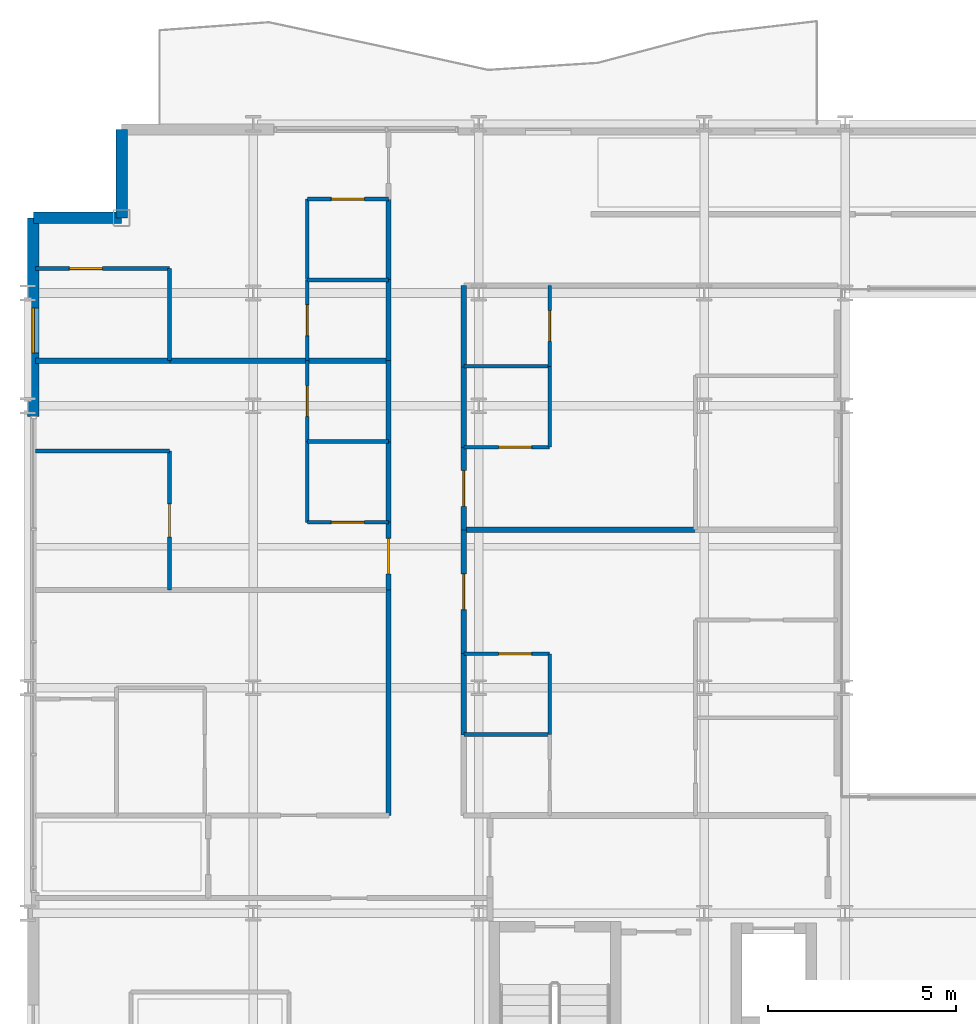
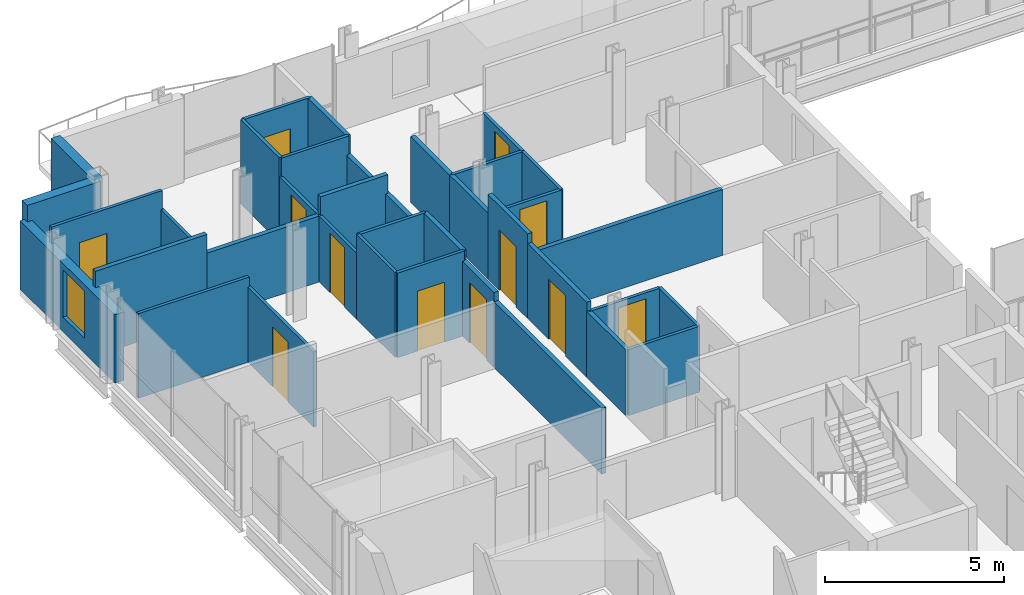
# One storey, part 33 of 41: 37 walls, 12 doors, 1 window, 13 openings.
"""IFC4 building model written with IfcOpenShell, lengths in metres."""

from ifc_helpers import new_model, si_unit, direction, frame, frame_2d, origin, place, context, subcontext, project, spatial, rectangle, extrude, material, layer, layer_set, type_object, element, fill, save


model = new_model("IFC4")

# Units and contexts
model_context = context("Model", 3, precision=1e-05, world=origin(), true_north=direction((0.0, 1.0)))
body_context = subcontext(model_context, "Body", "Model", "MODEL_VIEW")
ifc_project = project(units=[si_unit("LENGTHUNIT", "METRE"), si_unit("AREAUNIT", "SQUARE_METRE"), si_unit("VOLUMEUNIT", "CUBIC_METRE"), si_unit("PLANEANGLEUNIT", "RADIAN"), si_unit("MASSUNIT", "GRAM", prefix="KILO")], contexts=[model_context])

# Site, building, storey
site_placement = place(None, origin())
site = spatial("IfcSite", under=ifc_project, at=site_placement, CompositionType="ELEMENT")
building_placement = place(site_placement, origin())
building = spatial("IfcBuilding", under=site, at=building_placement, Name="Brevholm Reach", CompositionType="ELEMENT")
storey_placement = place(building_placement, frame((0.0, 0.0, 100.39990234375)))
storey = spatial("IfcBuildingStorey", under=building, at=storey_placement, Name="L29", CompositionType="ELEMENT", Elevation=100.39990234375)

# Walls
ifc_material_1 = material(Name="Concrete C40/50", Category="concrete")
ifc_layer_1 = layer(ifc_material_1, 0.300048828125)
ifc_layer_set_1 = layer_set([ifc_layer_1], Name="Concrete C40/50")
wall_type_1 = type_object("IfcWallType", Name="WAL-EXT-300", PredefinedType="STANDARD", material=ifc_layer_set_1)
for number, where, z_axis, x_axis, name in (
    (1, (2.5, 30.85009765625, 0.0), (0.0, 0.0, 1.0), (0.0, -1.0, 0.0), "L29 Facade Wall WAL-L29-CNW1"),
    (2, (2.5, 28.5, 0.0), (0.0, 0.0, 1.0), (-1.0, 0.0, 0.0), "L29 Facade Wall WAL-L29-CNW2"),
):
    element("IfcWall", number, at=place(storey_placement, frame(where, z_axis=z_axis, x_axis=x_axis)), inside=storey, type_object=wall_type_1, Name=name, PredefinedType="STANDARD", context=body_context, shape_type="SweptSolid", body=[
        extrude(rectangle(XDim=2.35009765625, YDim=0.300048828125, at=frame_2d((1.175048828125, 0.0))), origin(), (0.0, 0.0, 1.0), 2.880126953125),
    ])

# Wall, opening, window
wall_1_placement = place(storey_placement, frame((0.14990234375, 28.5, 0.0), z_axis=(0.0, 0.0, 1.0), x_axis=(0.0, -1.0, 0.0)))
wall_1 = element("IfcWall", 3, at=wall_1_placement, inside=storey, type_object=wall_type_1, Name="L29 Facade Wall WAL-L29-W-N", PredefinedType="STANDARD", context=body_context, shape_type="SweptSolid", body=[
    extrude(rectangle(XDim=5.280029296875, YDim=0.300048828125, at=frame_2d((2.64013671875, 0.0))), origin(), (0.0, 0.0, 1.0), 2.322021484375),
])
opening_1_placement = place(wall_1_placement, frame((2.39990234375, 0.0, 0.501953125)))
opening_1 = element("IfcOpeningElement", 4, at=opening_1_placement, cuts=wall_1, Name="Opening WN-08", PredefinedType="OPENING", context=body_context, shape_type="SweptSolid", body=[
    extrude(rectangle(XDim=1.199951171875, YDim=1.60009765625, at=frame_2d((0.60009765625, 0.800048828125))), frame((0.0, 0.159912109375, 0.0), z_axis=(0.0, -1.0, 0.0), x_axis=(1.0, 0.0, 0.0)), (0.0, 0.0, 1.0), 0.320068359375),
])
ifc_material_2 = material(Name="Dark Anodised Aluminium and Solar-Control IGU Glass", Category="aluminium")
window_type = type_object("IfcWindowType", Name="WIN-RES-1200", PartitioningType="SINGLE_PANEL", PredefinedType="WINDOW", material=ifc_material_2)
window_placement = place(opening_1_placement, origin())
window = element("IfcWindow", 5, at=window_placement, inside=storey, type_object=window_type, Name="L29 Window WIN-L29-WN-1", OverallHeight=1.60009765625, OverallWidth=1.199951171875, PartitioningType="SINGLE_PANEL", PredefinedType="WINDOW", context=body_context, shape_type="SweptSolid", body=[
    extrude(rectangle(XDim=1.199951171875, YDim=1.60009765625, at=frame_2d((0.60009765625, 0.800048828125))), frame((0.0, 0.030029296875, 0.0), z_axis=(0.0, -1.0, 0.0), x_axis=(1.0, 0.0, 0.0)), (0.0, 0.0, 1.0), 0.06005859375),
])
fill(opening_1, window)

# Wall
ifc_material_3 = material(Name="Moisture-Resistant Acoustic Gypsum Stud Partition 100 mm", Category="gypsum")
ifc_layer_2 = layer(ifc_material_3, 0.10009765625)
ifc_layer_set_2 = layer_set([ifc_layer_2], Name="Moisture-Resistant Acoustic Gypsum Stud Partition 100 mm")
wall_type_2 = type_object("IfcWallType", Name="WAL-PRT-100", PredefinedType="PARTITIONING", material=ifc_layer_set_2)
wall_2_placement = place(storey_placement, frame((7.43798828125, 22.550048828125, 0.0), z_axis=(0.0, 0.0, 1.0), x_axis=(1.0, 0.0, 0.0)))
element("IfcWall", 6, at=wall_2_placement, inside=storey, type_object=wall_type_2, Name="L29 Internal Partition 094", PredefinedType="PARTITIONING", context=body_context, shape_type="SweptSolid", body=[
    extrude(rectangle(XDim=2.157958984375, YDim=0.10009765625, at=frame_2d((1.0791015625, 0.0))), origin(), (0.0, 0.0, 1.0), 2.880126953125),
])

# Wall, opening, door
wall_3_placement = place(storey_placement, frame((7.43798828125, 22.550048828125, 0.0), z_axis=(0.0, 0.0, 1.0), x_axis=(0.0, 1.0, 0.0)))
wall_3 = element("IfcWall", 7, at=wall_3_placement, inside=storey, type_object=wall_type_2, Name="L29 Internal Partition 095", PredefinedType="PARTITIONING", context=body_context, shape_type="SweptSolid", body=[
    extrude(rectangle(XDim=2.14990234375, YDim=0.10009765625, at=frame_2d((1.074951171875, 0.0))), origin(), (0.0, 0.0, 1.0), 2.242919921875),
])
opening_2_placement = place(wall_3_placement, frame((0.6650390625, 0.0, 0.0)))
opening_2 = element("IfcOpeningElement", 8, at=opening_2_placement, cuts=wall_3, Name="Opening ID-03", PredefinedType="OPENING", context=body_context, shape_type="SweptSolid", body=[
    extrude(rectangle(XDim=0.820068359375, YDim=2.02001953125, at=frame_2d((0.41015625, 1.010009765625))), frame((0.0, 0.06005859375, 0.0), z_axis=(0.0, -1.0, 0.0), x_axis=(1.0, 0.0, 0.0)), (0.0, 0.0, 1.0), 0.1201171875),
])
ifc_material_4 = material(Name="Moisture-Resistant Painted Timber Internal Bathroom Door", Category="wood")
door_type_1 = type_object("IfcDoorType", Name="DOR-BATH-820", OperationType="NOTDEFINED", PredefinedType="DOOR", material=ifc_material_4)
door_1_placement = place(opening_2_placement, origin())
door_1 = element("IfcDoor", 9, at=door_1_placement, inside=storey, type_object=door_type_1, Name="L29 Internal Door 034", OperationType="SINGLE_SWING_LEFT", OverallHeight=2.02001953125, OverallWidth=0.820068359375, PredefinedType="DOOR", context=body_context, shape_type="SweptSolid", body=[
    extrude(rectangle(XDim=0.820068359375, YDim=2.02001953125, at=frame_2d((0.41015625, 1.010009765625))), frame((0.0, 0.02490234375, 0.0), z_axis=(0.0, -1.0, 0.0), x_axis=(1.0, 0.0, 0.0)), (0.0, 0.0, 1.0), 0.050048828125),
])
fill(opening_2, door_1)

wall_4_placement = place(storey_placement, frame((7.43798828125, 20.39990234375, 0.0), z_axis=(0.0, 0.0, 1.0), x_axis=(1.0, 0.0, 0.0)))
wall_4 = element("IfcWall", 10, at=wall_4_placement, inside=storey, type_object=wall_type_2, Name="L29 Internal Partition 097", PredefinedType="PARTITIONING", context=body_context, shape_type="SweptSolid", body=[
    extrude(rectangle(XDim=2.157958984375, YDim=0.10009765625, at=frame_2d((1.0791015625, 0.0))), origin(), (0.0, 0.0, 1.0), 2.880126953125),
])
opening_3_placement = place(wall_4_placement, frame((0.638916015625, 0.0, 0.0)))
opening_3 = element("IfcOpeningElement", 11, at=opening_3_placement, cuts=wall_4, Name="Opening ID-01", PredefinedType="OPENING", context=body_context, shape_type="SweptSolid", body=[
    extrude(rectangle(XDim=0.8798828125, YDim=2.0400390625, at=frame_2d((0.43994140625, 1.02001953125))), frame((0.0, 0.06005859375, 0.0), z_axis=(0.0, -1.0, 0.0), x_axis=(1.0, 0.0, 0.0)), (0.0, 0.0, 1.0), 0.1201171875),
])
ifc_material_5 = material(Name="Lacquered Ash Solid-Core Acoustic Internal Door", Category="timber")
door_type_2 = type_object("IfcDoorType", Name="DOR-INT-880", OperationType="NOTDEFINED", PredefinedType="DOOR", material=ifc_material_5)
door_2_placement = place(opening_3_placement, origin())
door_2 = element("IfcDoor", 12, at=door_2_placement, inside=storey, type_object=door_type_2, Name="L29 Internal Door 035", OperationType="SINGLE_SWING_RIGHT", OverallHeight=2.0400390625, OverallWidth=0.8798828125, PredefinedType="DOOR", context=body_context, shape_type="SweptSolid", body=[
    extrude(rectangle(XDim=0.8798828125, YDim=2.0400390625, at=frame_2d((0.43994140625, 1.02001953125))), frame((0.0, 0.02490234375, 0.0), z_axis=(0.0, -1.0, 0.0), x_axis=(1.0, 0.0, 0.0)), (0.0, 0.0, 1.0), 0.050048828125),
])
fill(opening_3, door_2)

# Wall
wall_5_placement = place(storey_placement, frame((7.43798828125, 20.39990234375, 0.0), z_axis=(0.0, 0.0, 1.0), x_axis=(0.0, 1.0, 0.0)))
element("IfcWall", 13, at=wall_5_placement, inside=storey, type_object=wall_type_2, Name="L29 Internal Partition 098", PredefinedType="PARTITIONING", context=body_context, shape_type="SweptSolid", body=[
    extrude(rectangle(XDim=2.14599609375, YDim=0.10009765625, at=frame_2d((1.072998046875, 0.0))), origin(), (0.0, 0.0, 1.0), 2.880126953125),
])

# Wall, opening, door
wall_6_placement = place(storey_placement, frame((3.77197265625, 18.60400390625, 0.0), z_axis=(0.0, 0.0, 1.0), x_axis=(0.0, 1.0, 0.0)))
wall_6 = element("IfcWall", 14, at=wall_6_placement, inside=storey, type_object=wall_type_2, Name="L29 Internal Partition 099", PredefinedType="PARTITIONING", context=body_context, shape_type="SweptSolid", body=[
    extrude(rectangle(XDim=3.696044921875, YDim=0.10009765625, at=frame_2d((1.84814453125, 0.0))), origin(), (0.0, 0.0, 1.0), 2.5517578125),
])
opening_4_placement = place(wall_6_placement, frame((1.407958984375, 0.0, 0.0)))
opening_4 = element("IfcOpeningElement", 15, at=opening_4_placement, cuts=wall_6, Name="Opening ID-01", PredefinedType="OPENING", context=body_context, shape_type="SweptSolid", body=[
    extrude(rectangle(XDim=0.8798828125, YDim=2.0400390625, at=frame_2d((0.43994140625, 1.02001953125))), frame((0.0, 0.06005859375, 0.0), z_axis=(0.0, -1.0, 0.0), x_axis=(1.0, 0.0, 0.0)), (0.0, 0.0, 1.0), 0.1201171875),
])
door_3_placement = place(opening_4_placement, origin())
door_3 = element("IfcDoor", 16, at=door_3_placement, inside=storey, type_object=door_type_2, Name="L29 Internal Door 036", OperationType="SINGLE_SWING_LEFT", OverallHeight=2.0400390625, OverallWidth=0.8798828125, PredefinedType="DOOR", context=body_context, shape_type="SweptSolid", body=[
    extrude(rectangle(XDim=0.8798828125, YDim=2.0400390625, at=frame_2d((0.43994140625, 1.02001953125))), frame((0.0, 0.02490234375, 0.0), z_axis=(0.0, -1.0, 0.0), x_axis=(1.0, 0.0, 0.0)), (0.0, 0.0, 1.0), 0.050048828125),
])
fill(opening_4, door_3)

# Walls
wall_7_placement = place(storey_placement, frame((0.199951171875, 22.300048828125, 0.0), z_axis=(0.0, 0.0, 1.0), x_axis=(1.0, 0.0, 0.0)))
element("IfcWall", 17, at=wall_7_placement, inside=storey, type_object=wall_type_2, Name="L29 Internal Partition 100", PredefinedType="PARTITIONING", context=body_context, shape_type="SweptSolid", body=[
    extrude(rectangle(XDim=3.572021484375, YDim=0.10009765625, at=frame_2d((1.7861328125, 0.0))), origin(), (0.0, 0.0, 1.0), 2.880126953125),
])
wall_8_placement = place(storey_placement, frame((7.43798828125, 26.85009765625, 0.0), z_axis=(0.0, 0.0, 1.0), x_axis=(1.0, 0.0, 0.0)))
element("IfcWall", 18, at=wall_8_placement, inside=storey, type_object=wall_type_2, Name="L29 Internal Partition 103", PredefinedType="PARTITIONING", context=body_context, shape_type="SweptSolid", body=[
    extrude(rectangle(XDim=2.157958984375, YDim=0.10009765625, at=frame_2d((1.0791015625, 0.0))), origin(), (0.0, 0.0, 1.0), 2.880126953125),
])

# Wall, opening, door
wall_9_placement = place(storey_placement, frame((7.43798828125, 24.7041015625, 0.0), z_axis=(0.0, 0.0, 1.0), x_axis=(0.0, 1.0, 0.0)))
wall_9 = element("IfcWall", 19, at=wall_9_placement, inside=storey, type_object=wall_type_2, Name="L29 Internal Partition 104", PredefinedType="PARTITIONING", context=body_context, shape_type="SweptSolid", body=[
    extrude(rectangle(XDim=2.14599609375, YDim=0.10009765625, at=frame_2d((1.072998046875, 0.0))), origin(), (0.0, 0.0, 1.0), 2.242919921875),
])
opening_5_placement = place(wall_9_placement, frame((0.6630859375, 0.0, 0.0)))
opening_5 = element("IfcOpeningElement", 20, at=opening_5_placement, cuts=wall_9, Name="Opening ID-03", PredefinedType="OPENING", context=body_context, shape_type="SweptSolid", body=[
    extrude(rectangle(XDim=0.820068359375, YDim=2.02001953125, at=frame_2d((0.41015625, 1.010009765625))), frame((0.0, 0.06005859375, 0.0), z_axis=(0.0, -1.0, 0.0), x_axis=(1.0, 0.0, 0.0)), (0.0, 0.0, 1.0), 0.1201171875),
])
door_4_placement = place(opening_5_placement, origin())
door_4 = element("IfcDoor", 21, at=door_4_placement, inside=storey, type_object=door_type_1, Name="L29 Internal Door 037", OperationType="SINGLE_SWING_RIGHT", OverallHeight=2.02001953125, OverallWidth=0.820068359375, PredefinedType="DOOR", context=body_context, shape_type="SweptSolid", body=[
    extrude(rectangle(XDim=0.820068359375, YDim=2.02001953125, at=frame_2d((0.41015625, 1.010009765625))), frame((0.0, 0.02490234375, 0.0), z_axis=(0.0, -1.0, 0.0), x_axis=(1.0, 0.0, 0.0)), (0.0, 0.0, 1.0), 0.050048828125),
])
fill(opening_5, door_4)

wall_10_placement = place(storey_placement, frame((7.43798828125, 29.0, 0.0), z_axis=(0.0, 0.0, 1.0), x_axis=(1.0, 0.0, 0.0)))
wall_10 = element("IfcWall", 22, at=wall_10_placement, inside=storey, type_object=wall_type_2, Name="L29 Internal Partition 105", PredefinedType="PARTITIONING", context=body_context, shape_type="SweptSolid", body=[
    extrude(rectangle(XDim=2.157958984375, YDim=0.10009765625, at=frame_2d((1.0791015625, 0.0))), origin(), (0.0, 0.0, 1.0), 2.880126953125),
])
opening_6_placement = place(wall_10_placement, frame((0.638916015625, 0.0, 0.0)))
opening_6 = element("IfcOpeningElement", 23, at=opening_6_placement, cuts=wall_10, Name="Opening ID-01", PredefinedType="OPENING", context=body_context, shape_type="SweptSolid", body=[
    extrude(rectangle(XDim=0.8798828125, YDim=2.0400390625, at=frame_2d((0.43994140625, 1.02001953125))), frame((0.0, 0.06005859375, 0.0), z_axis=(0.0, -1.0, 0.0), x_axis=(1.0, 0.0, 0.0)), (0.0, 0.0, 1.0), 0.1201171875),
])
door_5_placement = place(opening_6_placement, origin())
door_5 = element("IfcDoor", 24, at=door_5_placement, inside=storey, type_object=door_type_2, Name="L29 Internal Door 038", OperationType="SINGLE_SWING_LEFT", OverallHeight=2.0400390625, OverallWidth=0.8798828125, PredefinedType="DOOR", context=body_context, shape_type="SweptSolid", body=[
    extrude(rectangle(XDim=0.8798828125, YDim=2.0400390625, at=frame_2d((0.43994140625, 1.02001953125))), frame((0.0, 0.02490234375, 0.0), z_axis=(0.0, -1.0, 0.0), x_axis=(1.0, 0.0, 0.0)), (0.0, 0.0, 1.0), 0.050048828125),
])
fill(opening_6, door_5)

# Walls
wall_11_placement = place(storey_placement, frame((7.43798828125, 26.85400390625, 0.0), z_axis=(0.0, 0.0, 1.0), x_axis=(0.0, 1.0, 0.0)))
element("IfcWall", 25, at=wall_11_placement, inside=storey, type_object=wall_type_2, Name="L29 Internal Partition 106", PredefinedType="PARTITIONING", context=body_context, shape_type="SweptSolid", body=[
    extrude(rectangle(XDim=2.14599609375, YDim=0.10009765625, at=frame_2d((1.072998046875, 0.0))), origin(), (0.0, 0.0, 1.0), 2.880126953125),
])
wall_12_placement = place(storey_placement, frame((3.77197265625, 24.7041015625, 0.0), z_axis=(0.0, 0.0, 1.0), x_axis=(0.0, 1.0, 0.0)))
element("IfcWall", 26, at=wall_12_placement, inside=storey, type_object=wall_type_2, Name="L29 Internal Partition 107", PredefinedType="PARTITIONING", context=body_context, shape_type="SweptSolid", body=[
    extrude(rectangle(XDim=2.44580078125, YDim=0.10009765625, at=frame_2d((1.222900390625, 0.0))), origin(), (0.0, 0.0, 1.0), 2.242919921875),
])

# Wall, opening, door
wall_13_placement = place(storey_placement, frame((0.199951171875, 27.14990234375, 0.0), z_axis=(0.0, 0.0, 1.0), x_axis=(1.0, 0.0, 0.0)))
wall_13 = element("IfcWall", 27, at=wall_13_placement, inside=storey, type_object=wall_type_2, Name="L29 Internal Partition 108", PredefinedType="PARTITIONING", context=body_context, shape_type="SweptSolid", body=[
    extrude(rectangle(XDim=3.572021484375, YDim=0.10009765625, at=frame_2d((1.7861328125, 0.0))), origin(), (0.0, 0.0, 1.0), 2.880126953125),
])
opening_7_placement = place(wall_13_placement, frame((0.906005859375, 0.0, 0.0)))
opening_7 = element("IfcOpeningElement", 28, at=opening_7_placement, cuts=wall_13, Name="Opening ID-01", PredefinedType="OPENING", context=body_context, shape_type="SweptSolid", body=[
    extrude(rectangle(XDim=0.8798828125, YDim=2.0400390625, at=frame_2d((0.43994140625, 1.02001953125))), frame((0.0, 0.06005859375, 0.0), z_axis=(0.0, -1.0, 0.0), x_axis=(1.0, 0.0, 0.0)), (0.0, 0.0, 1.0), 0.1201171875),
])
door_6_placement = place(opening_7_placement, origin())
door_6 = element("IfcDoor", 29, at=door_6_placement, inside=storey, type_object=door_type_2, Name="L29 Internal Door 039", OperationType="SINGLE_SWING_RIGHT", OverallHeight=2.0400390625, OverallWidth=0.8798828125, PredefinedType="DOOR", context=body_context, shape_type="SweptSolid", body=[
    extrude(rectangle(XDim=0.8798828125, YDim=2.0400390625, at=frame_2d((0.43994140625, 1.02001953125))), frame((0.0, 0.02490234375, 0.0), z_axis=(0.0, -1.0, 0.0), x_axis=(1.0, 0.0, 0.0)), (0.0, 0.0, 1.0), 0.050048828125),
])
fill(opening_7, door_6)

# Walls
wall_14_placement = place(storey_placement, frame((11.60400390625, 14.75, 0.0), z_axis=(0.0, 0.0, 1.0), x_axis=(1.0, 0.0, 0.0)))
element("IfcWall", 30, at=wall_14_placement, inside=storey, type_object=wall_type_2, Name="L29 Internal Partition 109", PredefinedType="PARTITIONING", context=body_context, shape_type="SweptSolid", body=[
    extrude(rectangle(XDim=2.284912109375, YDim=0.10009765625, at=frame_2d((1.142578125, 0.0))), origin(), (0.0, 0.0, 1.0), 2.242919921875),
])
wall_15_placement = place(storey_placement, frame((13.888916015625, 14.75390625, 0.0), z_axis=(0.0, 0.0, 1.0), x_axis=(0.0, 1.0, 0.0)))
element("IfcWall", 31, at=wall_15_placement, inside=storey, type_object=wall_type_2, Name="L29 Internal Partition 111", PredefinedType="PARTITIONING", context=body_context, shape_type="SweptSolid", body=[
    extrude(rectangle(XDim=2.14599609375, YDim=0.10009765625, at=frame_2d((1.072998046875, 0.0))), origin(), (0.0, 0.0, 1.0), 2.242919921875),
])

# Wall, opening, door
wall_16_placement = place(storey_placement, frame((11.60400390625, 16.89990234375, 0.0), z_axis=(0.0, 0.0, 1.0), x_axis=(1.0, 0.0, 0.0)))
wall_16 = element("IfcWall", 32, at=wall_16_placement, inside=storey, type_object=wall_type_2, Name="L29 Internal Partition 112", PredefinedType="PARTITIONING", context=body_context, shape_type="SweptSolid", body=[
    extrude(rectangle(XDim=2.284912109375, YDim=0.10009765625, at=frame_2d((1.142578125, 0.0))), origin(), (0.0, 0.0, 1.0), 2.242919921875),
])
opening_8_placement = place(wall_16_placement, frame((0.922607421875, 0.0, 0.0)))
opening_8 = element("IfcOpeningElement", 33, at=opening_8_placement, cuts=wall_16, Name="Opening ID-01", PredefinedType="OPENING", context=body_context, shape_type="SweptSolid", body=[
    extrude(rectangle(XDim=0.8798828125, YDim=2.0400390625, at=frame_2d((0.43994140625, 1.02001953125))), frame((0.0, 0.06005859375, 0.0), z_axis=(0.0, -1.0, 0.0), x_axis=(1.0, 0.0, 0.0)), (0.0, 0.0, 1.0), 0.1201171875),
])
door_7_placement = place(opening_8_placement, origin())
door_7 = element("IfcDoor", 34, at=door_7_placement, inside=storey, type_object=door_type_2, Name="L29 Internal Door 041", OperationType="SINGLE_SWING_RIGHT", OverallHeight=2.0400390625, OverallWidth=0.8798828125, PredefinedType="DOOR", context=body_context, shape_type="SweptSolid", body=[
    extrude(rectangle(XDim=0.8798828125, YDim=2.0400390625, at=frame_2d((0.43994140625, 1.02001953125))), frame((0.0, 0.02490234375, 0.0), z_axis=(0.0, -1.0, 0.0), x_axis=(1.0, 0.0, 0.0)), (0.0, 0.0, 1.0), 0.050048828125),
])
fill(opening_8, door_7)

# Wall
wall_17_placement = place(storey_placement, frame((11.60400390625, 24.550048828125, 0.0), z_axis=(0.0, 0.0, 1.0), x_axis=(1.0, 0.0, 0.0)))
element("IfcWall", 35, at=wall_17_placement, inside=storey, type_object=wall_type_2, Name="L29 Internal Partition 119", PredefinedType="PARTITIONING", context=body_context, shape_type="SweptSolid", body=[
    extrude(rectangle(XDim=2.284912109375, YDim=0.10009765625, at=frame_2d((1.142578125, 0.0))), origin(), (0.0, 0.0, 1.0), 2.242919921875),
])

# Wall, opening, door
wall_18_placement = place(storey_placement, frame((13.888916015625, 24.550048828125, 0.0), z_axis=(0.0, 0.0, 1.0), x_axis=(0.0, 1.0, 0.0)))
wall_18 = element("IfcWall", 36, at=wall_18_placement, inside=storey, type_object=wall_type_2, Name="L29 Internal Partition 120", PredefinedType="PARTITIONING", context=body_context, shape_type="SweptSolid", body=[
    extrude(rectangle(XDim=2.14599609375, YDim=0.10009765625, at=frame_2d((1.072998046875, 0.0))), origin(), (0.0, 0.0, 1.0), 2.242919921875),
])
opening_9_placement = place(wall_18_placement, frame((0.6630859375, 0.0, 0.0)))
opening_9 = element("IfcOpeningElement", 37, at=opening_9_placement, cuts=wall_18, Name="Opening ID-03", PredefinedType="OPENING", context=body_context, shape_type="SweptSolid", body=[
    extrude(rectangle(XDim=0.820068359375, YDim=2.02001953125, at=frame_2d((0.41015625, 1.010009765625))), frame((0.0, 0.06005859375, 0.0), z_axis=(0.0, -1.0, 0.0), x_axis=(1.0, 0.0, 0.0)), (0.0, 0.0, 1.0), 0.1201171875),
])
door_8_placement = place(opening_9_placement, origin())
door_8 = element("IfcDoor", 38, at=door_8_placement, inside=storey, type_object=door_type_1, Name="L29 Internal Door 044", OperationType="SINGLE_SWING_LEFT", OverallHeight=2.02001953125, OverallWidth=0.820068359375, PredefinedType="DOOR", context=body_context, shape_type="SweptSolid", body=[
    extrude(rectangle(XDim=0.820068359375, YDim=2.02001953125, at=frame_2d((0.41015625, 1.010009765625))), frame((0.0, 0.02490234375, 0.0), z_axis=(0.0, -1.0, 0.0), x_axis=(1.0, 0.0, 0.0)), (0.0, 0.0, 1.0), 0.050048828125),
])
fill(opening_9, door_8)

wall_19_placement = place(storey_placement, frame((11.60400390625, 22.39990234375, 0.0), z_axis=(0.0, 0.0, 1.0), x_axis=(1.0, 0.0, 0.0)))
wall_19 = element("IfcWall", 39, at=wall_19_placement, inside=storey, type_object=wall_type_2, Name="L29 Internal Partition 121", PredefinedType="PARTITIONING", context=body_context, shape_type="SweptSolid", body=[
    extrude(rectangle(XDim=2.284912109375, YDim=0.10009765625, at=frame_2d((1.142578125, 0.0))), origin(), (0.0, 0.0, 1.0), 2.242919921875),
])
opening_10_placement = place(wall_19_placement, frame((0.922607421875, 0.0, 0.0)))
opening_10 = element("IfcOpeningElement", 40, at=opening_10_placement, cuts=wall_19, Name="Opening ID-01", PredefinedType="OPENING", context=body_context, shape_type="SweptSolid", body=[
    extrude(rectangle(XDim=0.8798828125, YDim=2.0400390625, at=frame_2d((0.43994140625, 1.02001953125))), frame((0.0, 0.06005859375, 0.0), z_axis=(0.0, -1.0, 0.0), x_axis=(1.0, 0.0, 0.0)), (0.0, 0.0, 1.0), 0.1201171875),
])
door_9_placement = place(opening_10_placement, origin())
door_9 = element("IfcDoor", 41, at=door_9_placement, inside=storey, type_object=door_type_2, Name="L29 Internal Door 045", OperationType="SINGLE_SWING_RIGHT", OverallHeight=2.0400390625, OverallWidth=0.8798828125, PredefinedType="DOOR", context=body_context, shape_type="SweptSolid", body=[
    extrude(rectangle(XDim=0.8798828125, YDim=2.0400390625, at=frame_2d((0.43994140625, 1.02001953125))), frame((0.0, 0.02490234375, 0.0), z_axis=(0.0, -1.0, 0.0), x_axis=(1.0, 0.0, 0.0)), (0.0, 0.0, 1.0), 0.050048828125),
])
fill(opening_10, door_9)

# Walls
wall_20_placement = place(storey_placement, frame((13.888916015625, 22.39990234375, 0.0), z_axis=(0.0, 0.0, 1.0), x_axis=(0.0, 1.0, 0.0)))
element("IfcWall", 42, at=wall_20_placement, inside=storey, type_object=wall_type_2, Name="L29 Internal Partition 122", PredefinedType="PARTITIONING", context=body_context, shape_type="SweptSolid", body=[
    extrude(rectangle(XDim=2.14599609375, YDim=0.10009765625, at=frame_2d((1.072998046875, 0.0))), origin(), (0.0, 0.0, 1.0), 2.242919921875),
])
ifc_material_6 = material(Name="Twin-Stud Acoustic Fire-Rated Gypsum Partition 140 mm", Category="gypsum")
ifc_layer_3 = layer(ifc_material_6, 0.139892578125)
ifc_layer_set_3 = layer_set([ifc_layer_3], Name="Twin-Stud Acoustic Fire-Rated Gypsum Partition 140 mm")
wall_type_3 = type_object("IfcWallType", Name="WAL-PRT-140", PredefinedType="PARTITIONING", material=ifc_layer_set_3)
wall_21_placement = place(storey_placement, frame((9.60009765625, 12.60400390625, 0.0), z_axis=(0.0, 0.0, 1.0), x_axis=(0.0, 1.0, 0.0)))
element("IfcWall", 43, at=wall_21_placement, inside=storey, type_object=wall_type_3, Name="L29 Internal Partition 031", PredefinedType="PARTITIONING", context=body_context, shape_type="SweptSolid", body=[
    extrude(rectangle(XDim=6.00732421875, YDim=0.139892578125, at=frame_2d((3.003662109375, 0.0))), origin(), (0.0, 0.0, 1.0), 2.242919921875),
])
wall_22_placement = place(storey_placement, frame((9.60009765625, 22.538818359375, 0.0), z_axis=(0.0, 0.0, 1.0), x_axis=(0.0, 1.0, 0.0)))
element("IfcWall", 44, at=wall_22_placement, inside=storey, type_object=wall_type_3, Name="L29 Internal Partition 032", PredefinedType="PARTITIONING", context=body_context, shape_type="SweptSolid", body=[
    extrude(rectangle(XDim=2.17236328125, YDim=0.139892578125, at=frame_2d((1.086181640625, 0.0))), origin(), (0.0, 0.0, 1.0), 2.242919921875),
])
wall_23_placement = place(storey_placement, frame((9.60009765625, 20.388671875, 0.0), z_axis=(0.0, 0.0, 1.0), x_axis=(0.0, 1.0, 0.0)))
element("IfcWall", 45, at=wall_23_placement, inside=storey, type_object=wall_type_3, Name="L29 Internal Partition 033", PredefinedType="PARTITIONING", context=body_context, shape_type="SweptSolid", body=[
    extrude(rectangle(XDim=2.168701171875, YDim=0.139892578125, at=frame_2d((1.08447265625, 0.0))), origin(), (0.0, 0.0, 1.0), 2.880126953125),
])

# Wall, opening, door
wall_24_placement = place(storey_placement, frame((9.60009765625, 18.5927734375, 0.0), z_axis=(0.0, 0.0, 1.0), x_axis=(0.0, 1.0, 0.0)))
wall_24 = element("IfcWall", 46, at=wall_24_placement, inside=storey, type_object=wall_type_3, Name="L29 Internal Partition 034", PredefinedType="PARTITIONING", context=body_context, shape_type="SweptSolid", body=[
    extrude(rectangle(XDim=1.814453125, YDim=0.139892578125, at=frame_2d((0.9072265625, 0.0))), origin(), (0.0, 0.0, 1.0), 2.5517578125),
])
opening_11_placement = place(wall_24_placement, frame((0.432373046875, 0.0, 0.0)))
opening_11 = element("IfcOpeningElement", 47, at=opening_11_placement, cuts=wall_24, Name="Opening ID-30", PredefinedType="OPENING", context=body_context, shape_type="SweptSolid", body=[
    extrude(rectangle(XDim=0.949951171875, YDim=2.050048828125, at=frame_2d((0.47509765625, 1.02490234375))), frame((0.0, 0.079833984375, 0.0), z_axis=(0.0, -1.0, 0.0), x_axis=(1.0, 0.0, 0.0)), (0.0, 0.0, 1.0), 0.159912109375),
])
ifc_material_7 = material(Name="European Oak Veneered Solid-Core Fire Entrance Door", Category="timber")
door_type_3 = type_object("IfcDoorType", Name="DOR-FLT-FD30S", OperationType="NOTDEFINED", PredefinedType="DOOR", material=ifc_material_7)
door_10_placement = place(opening_11_placement, origin())
door_10 = element("IfcDoor", 48, at=door_10_placement, inside=storey, type_object=door_type_3, Name="L29 Internal Door 015", OperationType="SINGLE_SWING_RIGHT", OverallHeight=2.050048828125, OverallWidth=0.949951171875, PredefinedType="DOOR", context=body_context, shape_type="SweptSolid", body=[
    extrude(rectangle(XDim=0.949951171875, YDim=2.050048828125, at=frame_2d((0.47509765625, 1.02490234375))), frame((0.0, 0.02490234375, 0.0), z_axis=(0.0, -1.0, 0.0), x_axis=(1.0, 0.0, 0.0)), (0.0, 0.0, 1.0), 0.050048828125),
])
fill(opening_11, door_10)

# Walls
wall_25_placement = place(storey_placement, frame((9.60009765625, 24.692626953125, 0.0), z_axis=(0.0, 0.0, 1.0), x_axis=(0.0, 1.0, 0.0)))
element("IfcWall", 49, at=wall_25_placement, inside=storey, type_object=wall_type_3, Name="L29 Internal Partition 035", PredefinedType="PARTITIONING", context=body_context, shape_type="SweptSolid", body=[
    extrude(rectangle(XDim=2.168701171875, YDim=0.139892578125, at=frame_2d((1.08447265625, 0.0))), origin(), (0.0, 0.0, 1.0), 2.242919921875),
])
wall_26_placement = place(storey_placement, frame((9.60009765625, 26.8427734375, 0.0), z_axis=(0.0, 0.0, 1.0), x_axis=(0.0, 1.0, 0.0)))
element("IfcWall", 50, at=wall_26_placement, inside=storey, type_object=wall_type_3, Name="L29 Internal Partition 036", PredefinedType="PARTITIONING", context=body_context, shape_type="SweptSolid", body=[
    extrude(rectangle(XDim=2.16845703125, YDim=0.139892578125, at=frame_2d((1.084228515625, 0.0))), origin(), (0.0, 0.0, 1.0), 2.880126953125),
])
wall_27_placement = place(storey_placement, frame((11.60009765625, 14.74267578125, 0.0), z_axis=(0.0, 0.0, 1.0), x_axis=(0.0, 1.0, 0.0)))
element("IfcWall", 51, at=wall_27_placement, inside=storey, type_object=wall_type_3, Name="L29 Internal Partition 039", PredefinedType="PARTITIONING", context=body_context, shape_type="SweptSolid", body=[
    extrude(rectangle(XDim=2.168701171875, YDim=0.139892578125, at=frame_2d((1.08447265625, 0.0))), origin(), (0.0, 0.0, 1.0), 2.242919921875),
])

# Wall, opening, door
wall_28_placement = place(storey_placement, frame((11.60009765625, 16.892578125, 0.0), z_axis=(0.0, 0.0, 1.0), x_axis=(0.0, 1.0, 0.0)))
wall_28 = element("IfcWall", 52, at=wall_28_placement, inside=storey, type_object=wall_type_3, Name="L29 Internal Partition 040", PredefinedType="PARTITIONING", context=body_context, shape_type="SweptSolid", body=[
    extrude(rectangle(XDim=3.318603515625, YDim=0.139892578125, at=frame_2d((1.6591796875, 0.0))), origin(), (0.0, 0.0, 1.0), 2.5517578125),
])
opening_12_placement = place(wall_28_placement, frame((1.184326171875, 0.0, 0.0)))
opening_12 = element("IfcOpeningElement", 53, at=opening_12_placement, cuts=wall_28, Name="Opening ID-30", PredefinedType="OPENING", context=body_context, shape_type="SweptSolid", body=[
    extrude(rectangle(XDim=0.949951171875, YDim=2.050048828125, at=frame_2d((0.47509765625, 1.02490234375))), frame((0.0, 0.079833984375, 0.0), z_axis=(0.0, -1.0, 0.0), x_axis=(1.0, 0.0, 0.0)), (0.0, 0.0, 1.0), 0.159912109375),
])
door_11_placement = place(opening_12_placement, origin())
door_11 = element("IfcDoor", 54, at=door_11_placement, inside=storey, type_object=door_type_3, Name="L29 Internal Door 017", OperationType="SINGLE_SWING_RIGHT", OverallHeight=2.050048828125, OverallWidth=0.949951171875, PredefinedType="DOOR", context=body_context, shape_type="SweptSolid", body=[
    extrude(rectangle(XDim=0.949951171875, YDim=2.050048828125, at=frame_2d((0.47509765625, 1.02490234375))), frame((0.0, 0.02490234375, 0.0), z_axis=(0.0, -1.0, 0.0), x_axis=(1.0, 0.0, 0.0)), (0.0, 0.0, 1.0), 0.050048828125),
])
fill(opening_12, door_11)

# Walls
wall_29_placement = place(storey_placement, frame((11.60009765625, 24.538818359375, 0.0), z_axis=(0.0, 0.0, 1.0), x_axis=(0.0, 1.0, 0.0)))
element("IfcWall", 55, at=wall_29_placement, inside=storey, type_object=wall_type_3, Name="L29 Internal Partition 041", PredefinedType="PARTITIONING", context=body_context, shape_type="SweptSolid", body=[
    extrude(rectangle(XDim=2.16845703125, YDim=0.139892578125, at=frame_2d((1.084228515625, 0.0))), origin(), (0.0, 0.0, 1.0), 2.242919921875),
])
wall_30_placement = place(storey_placement, frame((11.60009765625, 22.388671875, 0.0), z_axis=(0.0, 0.0, 1.0), x_axis=(0.0, 1.0, 0.0)))
element("IfcWall", 56, at=wall_30_placement, inside=storey, type_object=wall_type_3, Name="L29 Internal Partition 042", PredefinedType="PARTITIONING", context=body_context, shape_type="SweptSolid", body=[
    extrude(rectangle(XDim=2.168701171875, YDim=0.139892578125, at=frame_2d((1.08447265625, 0.0))), origin(), (0.0, 0.0, 1.0), 2.242919921875),
])

# Wall, opening, door
wall_31_placement = place(storey_placement, frame((11.60009765625, 20.192626953125, 0.0), z_axis=(0.0, 0.0, 1.0), x_axis=(0.0, 1.0, 0.0)))
wall_31 = element("IfcWall", 57, at=wall_31_placement, inside=storey, type_object=wall_type_3, Name="L29 Internal Partition 043", PredefinedType="PARTITIONING", context=body_context, shape_type="SweptSolid", body=[
    extrude(rectangle(XDim=2.214599609375, YDim=0.139892578125, at=frame_2d((1.107421875, 0.0))), origin(), (0.0, 0.0, 1.0), 2.880126953125),
])
opening_13_placement = place(wall_31_placement, frame((0.63232421875, 0.0, 0.0)))
opening_13 = element("IfcOpeningElement", 58, at=opening_13_placement, cuts=wall_31, Name="Opening ID-30", PredefinedType="OPENING", context=body_context, shape_type="SweptSolid", body=[
    extrude(rectangle(XDim=0.949951171875, YDim=2.050048828125, at=frame_2d((0.47509765625, 1.02490234375))), frame((0.0, 0.079833984375, 0.0), z_axis=(0.0, -1.0, 0.0), x_axis=(1.0, 0.0, 0.0)), (0.0, 0.0, 1.0), 0.159912109375),
])
door_12_placement = place(opening_13_placement, origin())
door_12 = element("IfcDoor", 59, at=door_12_placement, inside=storey, type_object=door_type_3, Name="L29 Internal Door 018", OperationType="SINGLE_SWING_LEFT", OverallHeight=2.050048828125, OverallWidth=0.949951171875, PredefinedType="DOOR", context=body_context, shape_type="SweptSolid", body=[
    extrude(rectangle(XDim=0.949951171875, YDim=2.050048828125, at=frame_2d((0.47509765625, 1.02490234375))), frame((0.0, 0.02490234375, 0.0), z_axis=(0.0, -1.0, 0.0), x_axis=(1.0, 0.0, 0.0)), (0.0, 0.0, 1.0), 0.050048828125),
])
fill(opening_13, door_12)

# Walls
wall_32_placement = place(storey_placement, frame((7.43798828125, 24.699951171875, 0.0), z_axis=(0.0, 0.0, 1.0), x_axis=(1.0, 0.0, 0.0)))
element("IfcWall", 60, at=wall_32_placement, inside=storey, type_object=wall_type_3, Name="L29 Internal Partition 096", PredefinedType="PARTITIONING", context=body_context, shape_type="SweptSolid", body=[
    extrude(rectangle(XDim=2.157958984375, YDim=0.139892578125, at=frame_2d((1.0791015625, 0.0))), origin(), (0.0, 0.0, 1.0), 2.880126953125),
])
wall_33_placement = place(storey_placement, frame((0.199951171875, 24.699951171875, 0.0), z_axis=(0.0, 0.0, 1.0), x_axis=(1.0, 0.0, 0.0)))
element("IfcWall", 61, at=wall_33_placement, inside=storey, type_object=wall_type_3, Name="L29 Internal Partition 101", PredefinedType="PARTITIONING", context=body_context, shape_type="SweptSolid", body=[
    extrude(rectangle(XDim=3.583251953125, YDim=0.139892578125, at=frame_2d((1.79150390625, 0.0))), origin(), (0.0, 0.0, 1.0), 2.880126953125),
])
wall_34_placement = place(storey_placement, frame((3.7646484375, 24.699951171875, 0.0), z_axis=(0.0, 0.0, 1.0), x_axis=(1.0, 0.0, 0.0)))
element("IfcWall", 62, at=wall_34_placement, inside=storey, type_object=wall_type_3, Name="L29 Internal Partition 102", PredefinedType="PARTITIONING", context=body_context, shape_type="SweptSolid", body=[
    extrude(rectangle(XDim=3.66943359375, YDim=0.139892578125, at=frame_2d((1.834716796875, 0.0))), origin(), (0.0, 0.0, 1.0), 2.242919921875),
])
wall_35_placement = place(storey_placement, frame((11.60400390625, 20.199951171875, 0.0), z_axis=(0.0, 0.0, 1.0), x_axis=(1.0, 0.0, 0.0)))
element("IfcWall", 63, at=wall_35_placement, inside=storey, type_object=wall_type_3, Name="L29 Internal Partition 118", PredefinedType="PARTITIONING", context=body_context, shape_type="SweptSolid", body=[
    extrude(rectangle(XDim=6.17236328125, YDim=0.139892578125, at=frame_2d((3.086181640625, 0.0))), origin(), (0.0, 0.0, 1.0), 2.242919921875),
])

save(model, "model.ifc")
